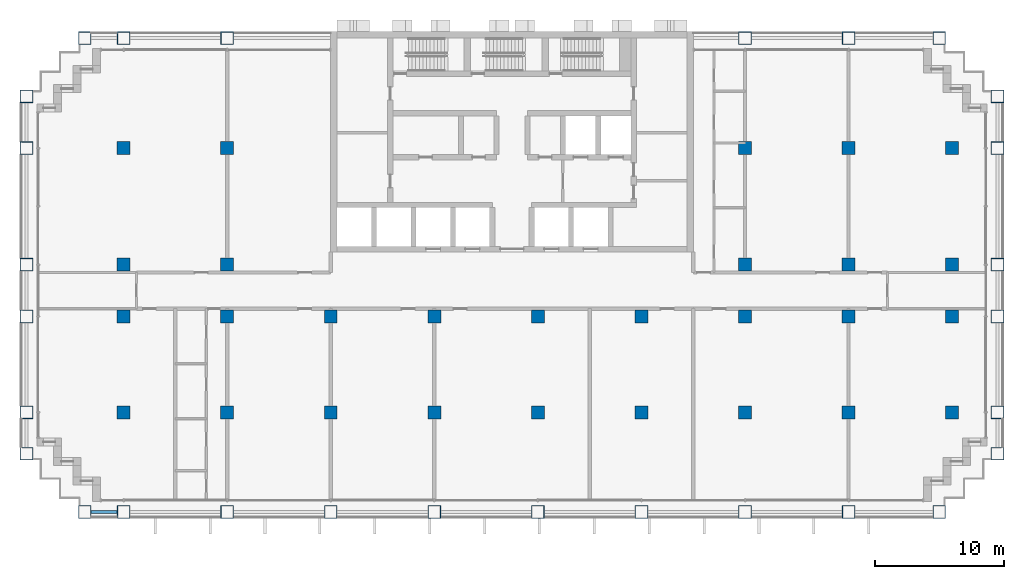
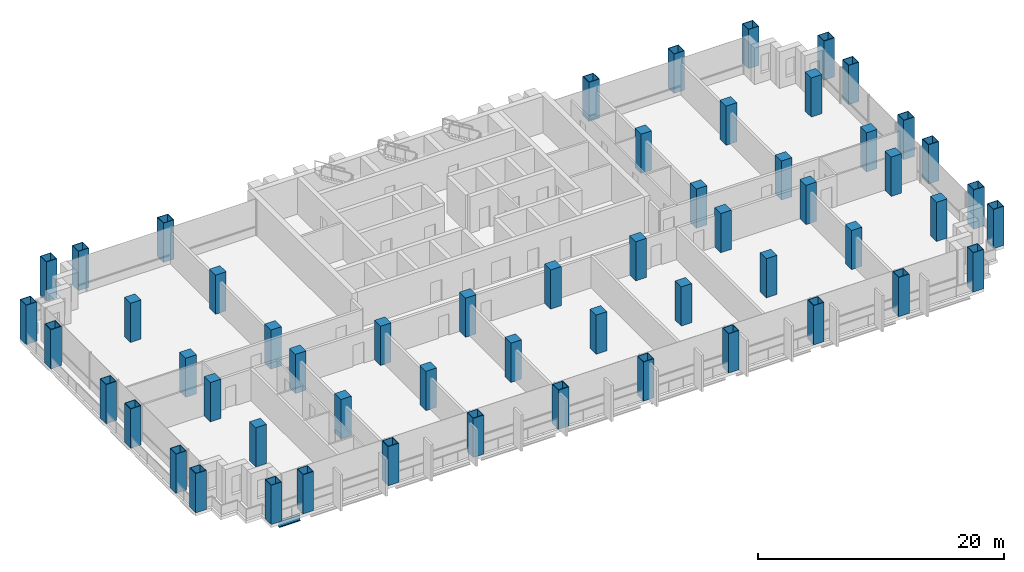
# One storey, part 1 of 13: 56 columns, 1 beam.
"""IFC4 building model written with IfcOpenShell, lengths in metres."""

from ifc_helpers import new_model, si_unit, direction, frame, origin, origin_2d, place, context, subcontext, project, spatial, rectangle, hollow_rectangle, i_section, extrude, material, material_profile, profile_set, type_object, element, save


model = new_model("IFC4")

# Units and contexts
model_context = context("Model", 3, precision=1e-05, world=origin(), true_north=direction((0.0, 1.0)))
body_context = subcontext(model_context, "Body", "Model", "MODEL_VIEW")
ifc_project = project(units=[si_unit("LENGTHUNIT", "METRE"), si_unit("AREAUNIT", "SQUARE_METRE"), si_unit("VOLUMEUNIT", "CUBIC_METRE"), si_unit("PLANEANGLEUNIT", "RADIAN"), si_unit("MASSUNIT", "GRAM", prefix="KILO")], contexts=[model_context])

# Site, building, storey
site_placement = place(None, origin())
site = spatial("IfcSite", under=ifc_project, at=site_placement, CompositionType="ELEMENT")
building_placement = place(site_placement, origin())
building = spatial("IfcBuilding", under=site, at=building_placement, Name="Vidyagriha Tower", CompositionType="ELEMENT")
storey_placement = place(building_placement, frame((0.0, 0.0, 37.699951171875)))
storey = spatial("IfcBuildingStorey", under=building, at=storey_placement, Name="L09", CompositionType="ELEMENT", Elevation=37.699951171875)

# Columns
ifc_material_1 = material(Name="Steel ASTM A572 Grade 50", Category="steel")
ifc_material_profile_1 = material_profile(ifc_material_1, hollow_rectangle(XDim=1.0, YDim=1.0, WallThickness=0.050048828125, at=origin_2d()), Name="BOX 1000x1000x50")
ifc_profile_set_1 = profile_set([ifc_material_profile_1], Name="Steel ASTM A572 Grade 50")
column_type_1 = type_object("IfcColumnType", Name="Exoskeleton column BOX 1000x1000x50", PredefinedType="COLUMN", material=ifc_profile_set_1)
for number, where, name in (
    (1, (-33.0, -17.10009765625, 0.0), "st-col-L09-B1-001"),
    (2, (-30.0, -17.10009765625, 0.0), "st-col-L09-B1-002"),
    (3, (-22.0, -17.10009765625, 0.0), "st-col-L09-B1-003"),
    (4, (-14.0, -17.10009765625, 0.0), "st-col-L09-B1-004"),
    (5, (-6.0, -17.10009765625, 0.0), "st-col-L09-B1-005"),
    (6, (2.0, -17.10009765625, 0.0), "st-col-L09-B1-006"),
    (7, (10.0, -17.10009765625, 0.0), "st-col-L09-B1-007"),
    (8, (18.0, -17.10009765625, 0.0), "st-col-L09-B1-008"),
    (9, (26.0, -17.10009765625, 0.0), "st-col-L09-B1-009"),
    (10, (33.0, -17.10009765625, 0.0), "st-col-L09-B1-010"),
    (11, (-37.5, -12.60009765625, 0.0), "st-col-L09-B1-011"),
    (12, (37.5, -12.60009765625, 0.0), "st-col-L09-B1-012"),
    (13, (-37.5, -9.39990234375, 0.0), "st-col-L09-B1-013"),
    (14, (37.5, -9.39990234375, 0.0), "st-col-L09-B1-023"),
    (15, (-37.5, -2.0, 0.0), "st-col-L09-B1-024"),
    (16, (37.5, -2.0, 0.0), "st-col-L09-B1-034"),
    (17, (-37.5, 2.0, 0.0), "st-col-L09-B1-035"),
    (18, (37.5, 2.0, 0.0), "st-col-L09-B1-041"),
    (19, (-37.5, 11.0, 0.0), "st-col-L09-B1-042"),
    (20, (37.5, 11.0, 0.0), "st-col-L09-B1-048"),
    (21, (-37.5, 15.0, 0.0), "st-col-L09-B1-049"),
    (22, (37.5, 15.0, 0.0), "st-col-L09-B1-050"),
    (23, (-33.0, 19.5, 0.0), "st-col-L09-B1-051"),
    (24, (-30.0, 19.5, 0.0), "st-col-L09-B1-052"),
    (25, (-22.0, 19.5, 0.0), "st-col-L09-B1-053"),
    (26, (18.0, 19.5, 0.0), "st-col-L09-B1-054"),
    (27, (26.0, 19.5, 0.0), "st-col-L09-B1-055"),
    (28, (33.0, 19.5, 0.0), "st-col-L09-B1-056"),
):
    element("IfcColumn", number, at=place(storey_placement, frame(where)), inside=storey, type_object=column_type_1, Name=name, PredefinedType="COLUMN", context=body_context, shape_type="SweptSolid", body=[
        extrude(hollow_rectangle(XDim=1.0, YDim=1.0, WallThickness=0.050048828125, at=origin_2d()), origin(), (0.0, 0.0, 1.0), 3.900146484375),
    ])
ifc_material_2 = material(Name="Concrete C80/95", Category="concrete")
ifc_material_profile_2 = material_profile(ifc_material_2, rectangle(XDim=1.0, YDim=1.0, at=origin_2d()), Name="RC 1000x1000")
ifc_profile_set_2 = profile_set([ifc_material_profile_2], Name="Concrete C80/95")
column_type_2 = type_object("IfcColumnType", Name="Frame column RC 1000x1000", PredefinedType="COLUMN", material=ifc_profile_set_2)
for number, where, name in (
    (29, (-30.0, -9.39990234375, 0.0), "st-col-L09-B1-014"),
    (30, (-22.0, -9.39990234375, 0.0), "st-col-L09-B1-015"),
    (31, (-14.0, -9.39990234375, 0.0), "st-col-L09-B1-016"),
    (32, (-6.0, -9.39990234375, 0.0), "st-col-L09-B1-017"),
    (33, (2.0, -9.39990234375, 0.0), "st-col-L09-B1-018"),
    (34, (10.0, -9.39990234375, 0.0), "st-col-L09-B1-019"),
    (35, (18.0, -9.39990234375, 0.0), "st-col-L09-B1-020"),
    (36, (26.0, -9.39990234375, 0.0), "st-col-L09-B1-021"),
    (37, (34.0, -9.39990234375, 0.0), "st-col-L09-B1-022"),
    (38, (-30.0, -2.0, 0.0), "st-col-L09-B1-025"),
    (39, (-22.0, -2.0, 0.0), "st-col-L09-B1-026"),
    (40, (-14.0, -2.0, 0.0), "st-col-L09-B1-027"),
    (41, (-6.0, -2.0, 0.0), "st-col-L09-B1-028"),
    (42, (2.0, -2.0, 0.0), "st-col-L09-B1-029"),
    (43, (10.0, -2.0, 0.0), "st-col-L09-B1-030"),
    (44, (18.0, -2.0, 0.0), "st-col-L09-B1-031"),
    (45, (26.0, -2.0, 0.0), "st-col-L09-B1-032"),
    (46, (34.0, -2.0, 0.0), "st-col-L09-B1-033"),
    (47, (-30.0, 2.0, 0.0), "st-col-L09-B1-036"),
    (48, (-22.0, 2.0, 0.0), "st-col-L09-B1-037"),
    (49, (18.0, 2.0, 0.0), "st-col-L09-B1-038"),
    (50, (26.0, 2.0, 0.0), "st-col-L09-B1-039"),
    (51, (34.0, 2.0, 0.0), "st-col-L09-B1-040"),
    (52, (-30.0, 11.0, 0.0), "st-col-L09-B1-043"),
    (53, (-22.0, 11.0, 0.0), "st-col-L09-B1-044"),
    (54, (18.0, 11.0, 0.0), "st-col-L09-B1-045"),
    (55, (26.0, 11.0, 0.0), "st-col-L09-B1-046"),
    (56, (34.0, 11.0, 0.0), "st-col-L09-B1-047"),
):
    element("IfcColumn", number, at=place(storey_placement, frame(where)), inside=storey, type_object=column_type_2, Name=name, PredefinedType="COLUMN", context=body_context, shape_type="SweptSolid", body=[
        extrude(rectangle(XDim=1.0, YDim=1.0, at=origin_2d()), origin(), (0.0, 0.0, 1.0), 3.900146484375),
    ])

# Beam
ifc_material_3 = material(Name="Steel ASTM A992 Grade 50", Category="steel")
ifc_material_profile_3 = material_profile(ifc_material_3, i_section(OverallWidth=0.228271484375, OverallDepth=0.607177734375, WebThickness=0.01123046875, FlangeThickness=0.017333984375, at=origin_2d()), Name="W24X76")
ifc_profile_set_3 = profile_set([ifc_material_profile_3], Name="Steel ASTM A992 Grade 50")
beam_type = type_object("IfcBeamType", Name="Edge beam W24X76", PredefinedType="SPANDREL", material=ifc_profile_set_3)
beam_placement = place(storey_placement, frame((-32.5, -17.10009765625, -0.603515625), z_axis=(1.0, 0.0, 0.0), x_axis=(0.0, 1.0, 0.0)))
element("IfcBeam", 57, at=beam_placement, inside=storey, type_object=beam_type, Name="st-beam-L09-S01", PredefinedType="SPANDREL", context=body_context, shape_type="SweptSolid", body=[
    extrude(i_section(OverallWidth=0.228271484375, OverallDepth=0.607177734375, WebThickness=0.01123046875, FlangeThickness=0.017333984375, at=origin_2d()), origin(), (0.0, 0.0, 1.0), 2.0),
])

save(model, "model.ifc")
